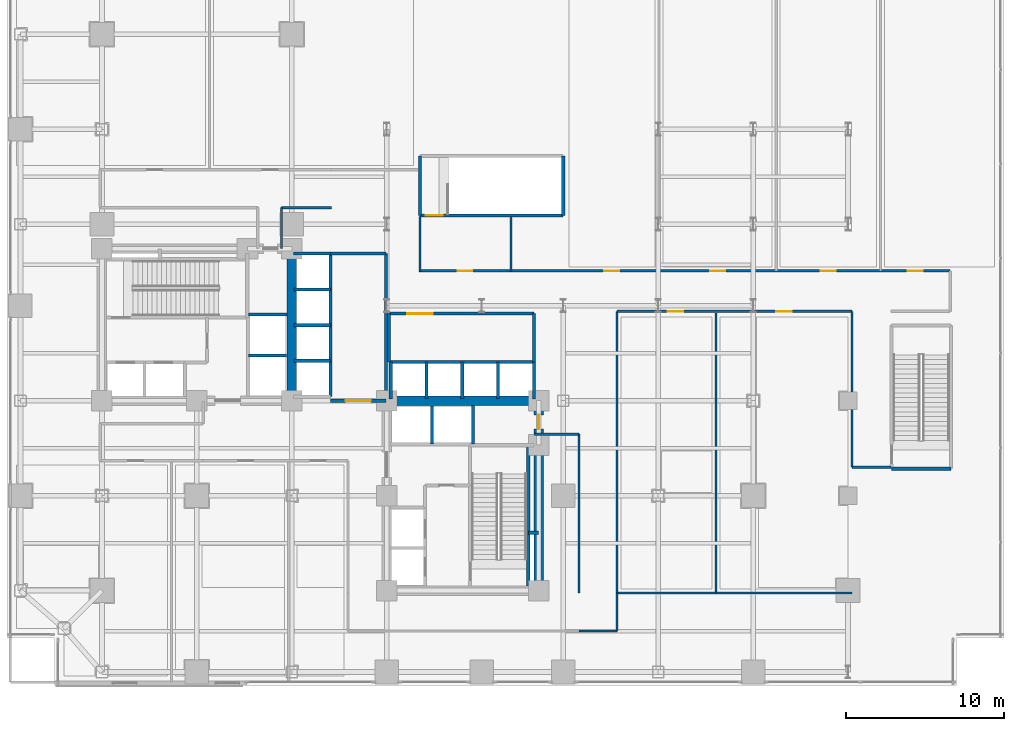
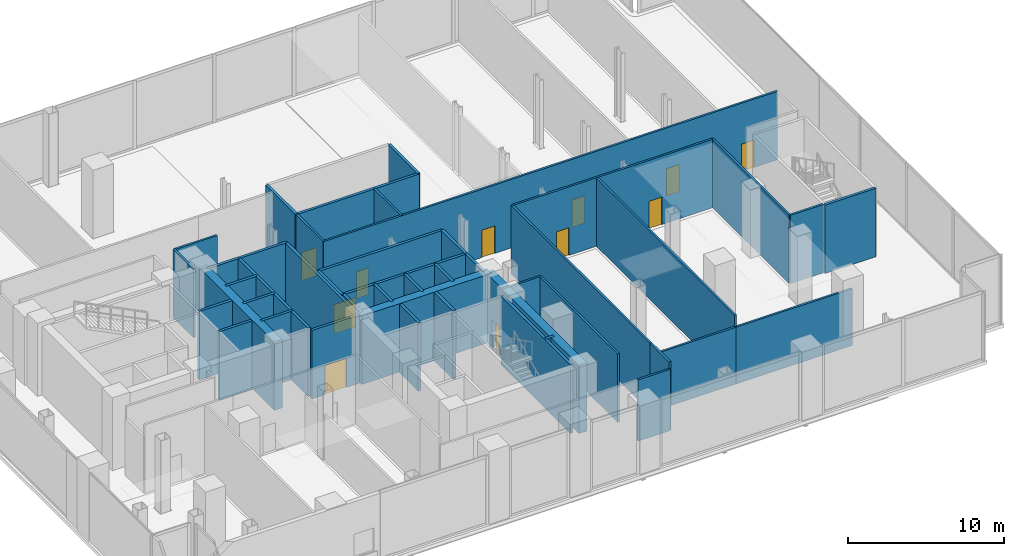
# One storey, part 22 of 27: 46 walls, 11 doors, 11 openings.
"""IFC4 building model written with IfcOpenShell, lengths in metres."""

from ifc_helpers import new_model, si_unit, direction, frame, frame_2d, origin, place, context, subcontext, project, spatial, rectangle, extrude, material, layer, layer_set, type_object, element, fill, save


model = new_model("IFC4")

# Units and contexts
model_context = context("Model", 3, precision=1e-05, world=origin(), true_north=direction((0.0, 1.0)))
body_context = subcontext(model_context, "Body", "Model", "MODEL_VIEW")
ifc_project = project(units=[si_unit("LENGTHUNIT", "METRE"), si_unit("AREAUNIT", "SQUARE_METRE"), si_unit("VOLUMEUNIT", "CUBIC_METRE"), si_unit("PLANEANGLEUNIT", "RADIAN"), si_unit("MASSUNIT", "GRAM", prefix="KILO"), si_unit("THERMODYNAMICTEMPERATUREUNIT", "KELVIN"), si_unit("POWERUNIT", "WATT")], contexts=[model_context])

# Site, building, storey
site_placement = place(None, origin())
site = spatial("IfcSite", under=ifc_project, at=site_placement, CompositionType="ELEMENT")
building_placement = place(site_placement, origin())
building = spatial("IfcBuilding", under=site, at=building_placement, Name="Svarakhadi Broadcast Tower", CompositionType="ELEMENT")
storey_placement = place(building_placement, frame((0.0, 0.0, 21.89990234375)))
storey = spatial("IfcBuildingStorey", under=building, at=storey_placement, Name="L04", CompositionType="ELEMENT", Elevation=21.89990234375)

# Walls
ifc_material_1 = material(Name="Concrete C40/50 (IS 456 M50)", Category="concrete")
ifc_layer_1 = layer(ifc_material_1, 0.199951171875)
ifc_layer_set_1 = layer_set([ifc_layer_1], Name="Concrete C40/50 (IS 456 M50)")
wall_type_1 = type_object("IfcWallType", Name="Wall_Fire_200", PredefinedType="SOLIDWALL", material=ifc_layer_set_1)
wall_1_placement = place(storey_placement, frame((32.93994140625, 9.659912109375, 0.0), z_axis=(0.0, 0.0, 1.0), x_axis=(1.0, 0.0, 0.0)))
element("IfcWall", 1, at=wall_1_placement, inside=storey, type_object=wall_type_1, Name="L04 HV Busduct Riser Shaft North Wall", PredefinedType="SOLIDWALL", context=body_context, shape_type="SweptSolid", body=[
    extrude(rectangle(XDim=0.64013671875, YDim=0.199951171875, at=frame_2d((0.320068359375, 0.0))), origin(), (0.0, 0.0, 1.0), 5.35009765625),
])
ifc_material_2 = material(Name="Autoclaved Aerated Concrete Blockwork 150 mm", Category="masonry")
ifc_layer_2 = layer(ifc_material_2, 0.14990234375)
ifc_layer_set_2 = layer_set([ifc_layer_2], Name="Autoclaved Aerated Concrete Blockwork 150 mm")
wall_type_2 = type_object("IfcWallType", Name="Wall_Part_150", PredefinedType="PARTITIONING", material=ifc_layer_set_2)
wall_2_placement = place(storey_placement, frame((36.14990234375, 5.85009765625, 0.0), z_axis=(0.0, 0.0, 1.0), x_axis=(0.0, 1.0, 0.0)))
element("IfcWall", 2, at=wall_2_placement, inside=storey, type_object=wall_type_2, Name="L04 Podium Gallery Wall", PredefinedType="PARTITIONING", context=body_context, shape_type="SweptSolid", body=[
    extrude(rectangle(XDim=10.02978515625, YDim=0.14990234375, at=frame_2d((5.014892578125, 0.0))), origin(), (0.0, 0.0, 1.0), 5.35009765625),
])
wall_3_placement = place(storey_placement, frame((36.14990234375, 15.8798828125, 0.0), z_axis=(0.0, 0.0, 1.0), x_axis=(-1.0, 0.0, 0.0)))
element("IfcWall", 3, at=wall_3_placement, inside=storey, type_object=wall_type_2, Name="L04 Podium Gallery Wall", PredefinedType="PARTITIONING", context=body_context, shape_type="SweptSolid", body=[
    extrude(rectangle(XDim=2.809814453125, YDim=0.14990234375, at=frame_2d((1.40478515625, 0.0))), origin(), (0.0, 0.0, 1.0), 5.35009765625),
])
wall_4_placement = place(storey_placement, frame((20.5, 30.199951171875, 0.0), z_axis=(0.0, 0.0, 1.0), x_axis=(-1.0, 0.0, 0.0)))
element("IfcWall", 4, at=wall_4_placement, inside=storey, type_object=wall_type_2, Name="L04 Podium Gallery Wall", PredefinedType="PARTITIONING", context=body_context, shape_type="SweptSolid", body=[
    extrude(rectangle(XDim=3.14990234375, YDim=0.14990234375, at=frame_2d((1.574951171875, 0.0))), origin(), (0.0, 0.0, 1.0), 5.35009765625),
])
wall_5_placement = place(storey_placement, frame((17.35009765625, 30.199951171875, 0.0), z_axis=(0.0, 0.0, 1.0), x_axis=(0.0, -1.0, 0.0)))
element("IfcWall", 5, at=wall_5_placement, inside=storey, type_object=wall_type_2, Name="L04 Podium Gallery Wall", PredefinedType="PARTITIONING", context=body_context, shape_type="SweptSolid", body=[
    extrude(rectangle(XDim=2.579833984375, YDim=0.14990234375, at=frame_2d((1.2900390625, 0.0))), origin(), (0.0, 0.0, 1.0), 5.35009765625),
])

# Wall, openings, doors
wall_6_placement = place(storey_placement, frame((26.050048828125, 26.199951171875, 0.0), z_axis=(0.0, 0.0, 1.0), x_axis=(1.0, 0.0, 0.0)))
wall_6 = element("IfcWall", 6, at=wall_6_placement, inside=storey, type_object=wall_type_2, Name="L04 Podium Gallery Wall", PredefinedType="PARTITIONING", context=body_context, shape_type="SweptSolid", body=[
    extrude(rectangle(XDim=33.550048828125, YDim=0.14990234375, at=frame_2d((16.77490234375, 0.0))), origin(), (0.0, 0.0, 1.0), 5.35009765625),
])
opening_1_placement = place(wall_6_placement, frame((2.449951171875, 0.0, 0.0)))
opening_1 = element("IfcOpeningElement", 7, at=opening_1_placement, cuts=wall_6, Name="Opening D-12", PredefinedType="OPENING", context=body_context, shape_type="SweptSolid", body=[
    extrude(rectangle(XDim=0.89990234375, YDim=2.10009765625, at=frame_2d((0.449951171875, 1.050048828125))), frame((0.0, 0.0849609375, 0.0), z_axis=(0.0, -1.0, 0.0), x_axis=(1.0, 0.0, 0.0)), (0.0, 0.0, 1.0), 0.169921875),
])
opening_2_placement = place(wall_6_placement, frame((11.699951171875, 0.0, 0.0)))
opening_2 = element("IfcOpeningElement", 8, at=opening_2_placement, cuts=wall_6, Name="Opening D-07", PredefinedType="OPENING", context=body_context, shape_type="SweptSolid", body=[
    extrude(rectangle(XDim=0.949951171875, YDim=2.14990234375, at=frame_2d((0.47509765625, 1.074951171875))), frame((0.0, 0.0849609375, 0.0), z_axis=(0.0, -1.0, 0.0), x_axis=(1.0, 0.0, 0.0)), (0.0, 0.0, 1.0), 0.169921875),
])
opening_3_placement = place(wall_6_placement, frame((18.375, 0.0, 0.0)))
opening_3 = element("IfcOpeningElement", 9, at=opening_3_placement, cuts=wall_6, Name="Opening D-06", PredefinedType="OPENING", context=body_context, shape_type="SweptSolid", body=[
    extrude(rectangle(XDim=0.949951171875, YDim=2.14990234375, at=frame_2d((0.47509765625, 1.074951171875))), frame((0.0, 0.0849609375, 0.0), z_axis=(0.0, -1.0, 0.0), x_axis=(1.0, 0.0, 0.0)), (0.0, 0.0, 1.0), 0.169921875),
])
opening_4_placement = place(wall_6_placement, frame((25.375, 0.0, 0.0)))
opening_4 = element("IfcOpeningElement", 10, at=opening_4_placement, cuts=wall_6, Name="Opening D-07", PredefinedType="OPENING", context=body_context, shape_type="SweptSolid", body=[
    extrude(rectangle(XDim=0.949951171875, YDim=2.14990234375, at=frame_2d((0.47509765625, 1.074951171875))), frame((0.0, 0.0849609375, 0.0), z_axis=(0.0, -1.0, 0.0), x_axis=(1.0, 0.0, 0.0)), (0.0, 0.0, 1.0), 0.169921875),
])
opening_5_placement = place(wall_6_placement, frame((30.875, 0.0, 0.0)))
opening_5 = element("IfcOpeningElement", 11, at=opening_5_placement, cuts=wall_6, Name="Opening D-06", PredefinedType="OPENING", context=body_context, shape_type="SweptSolid", body=[
    extrude(rectangle(XDim=0.949951171875, YDim=2.14990234375, at=frame_2d((0.47509765625, 1.074951171875))), frame((0.0, 0.0849609375, 0.0), z_axis=(0.0, -1.0, 0.0), x_axis=(1.0, 0.0, 0.0)), (0.0, 0.0, 1.0), 0.169921875),
])
ifc_material_3 = material(Name="Solid-Core Teak Veneer Acoustic Timber Leaf", Category="wood")
door_type_1 = type_object("IfcDoorType", Name="Door_Office_D06", OperationType="SINGLE_SWING_LEFT", PredefinedType="DOOR", material=ifc_material_3)
door_1_placement = place(opening_3_placement, origin())
door_1 = element("IfcDoor", 12, at=door_1_placement, inside=storey, type_object=door_type_1, Name="L04 L04 Editorial Conference Room Door", OperationType="SINGLE_SWING_LEFT", OverallHeight=2.14990234375, OverallWidth=0.949951171875, PredefinedType="DOOR", context=body_context, shape_type="SweptSolid", body=[
    extrude(rectangle(XDim=0.949951171875, YDim=2.14990234375, at=frame_2d((0.47509765625, 1.074951171875))), frame((0.0, 0.02490234375, 0.0), z_axis=(0.0, -1.0, 0.0), x_axis=(1.0, 0.0, 0.0)), (0.0, 0.0, 1.0), 0.050048828125),
])
fill(opening_3, door_1)
door_2_placement = place(opening_5_placement, origin())
door_2 = element("IfcDoor", 13, at=door_2_placement, inside=storey, type_object=door_type_1, Name="L04 L04 Broadcast Copy and Archive Store Door", OperationType="SINGLE_SWING_LEFT", OverallHeight=2.14990234375, OverallWidth=0.949951171875, PredefinedType="DOOR", context=body_context, shape_type="SweptSolid", body=[
    extrude(rectangle(XDim=0.949951171875, YDim=2.14990234375, at=frame_2d((0.47509765625, 1.074951171875))), frame((0.0, 0.02490234375, 0.0), z_axis=(0.0, -1.0, 0.0), x_axis=(1.0, 0.0, 0.0)), (0.0, 0.0, 1.0), 0.050048828125),
])
fill(opening_5, door_2)
door_type_2 = type_object("IfcDoorType", Name="Door_Office_D07", OperationType="SINGLE_SWING_RIGHT", PredefinedType="DOOR", material=ifc_material_3)
door_3_placement = place(opening_2_placement, origin())
door_3 = element("IfcDoor", 14, at=door_3_placement, inside=storey, type_object=door_type_2, Name="L04 L04 Satellite Ingest and Playout Office Door", OperationType="SINGLE_SWING_RIGHT", OverallHeight=2.14990234375, OverallWidth=0.949951171875, PredefinedType="DOOR", context=body_context, shape_type="SweptSolid", body=[
    extrude(rectangle(XDim=0.949951171875, YDim=2.14990234375, at=frame_2d((0.47509765625, 1.074951171875))), frame((0.0, 0.02490234375, 0.0), z_axis=(0.0, -1.0, 0.0), x_axis=(1.0, 0.0, 0.0)), (0.0, 0.0, 1.0), 0.050048828125),
])
fill(opening_2, door_3)
door_4_placement = place(opening_4_placement, origin())
door_4 = element("IfcDoor", 15, at=door_4_placement, inside=storey, type_object=door_type_2, Name="L04 L04 Staff Dining Canteen Door", OperationType="SINGLE_SWING_RIGHT", OverallHeight=2.14990234375, OverallWidth=0.949951171875, PredefinedType="DOOR", context=body_context, shape_type="SweptSolid", body=[
    extrude(rectangle(XDim=0.949951171875, YDim=2.14990234375, at=frame_2d((0.47509765625, 1.074951171875))), frame((0.0, 0.02490234375, 0.0), z_axis=(0.0, -1.0, 0.0), x_axis=(1.0, 0.0, 0.0)), (0.0, 0.0, 1.0), 0.050048828125),
])
fill(opening_4, door_4)
door_type_3 = type_object("IfcDoorType", Name="Door_WC_D01", OperationType="SINGLE_SWING_LEFT", PredefinedType="DOOR", material=ifc_material_3)
door_5_placement = place(opening_1_placement, origin())
door_5 = element("IfcDoor", 16, at=door_5_placement, inside=storey, type_object=door_type_3, Name="L04 Staff Toilet WC Door", OperationType="SINGLE_SWING_LEFT", OverallHeight=2.10009765625, OverallWidth=0.89990234375, PredefinedType="DOOR", context=body_context, shape_type="SweptSolid", body=[
    extrude(rectangle(XDim=0.89990234375, YDim=2.10009765625, at=frame_2d((0.449951171875, 1.050048828125))), frame((0.0, 0.02490234375, 0.0), z_axis=(0.0, -1.0, 0.0), x_axis=(1.0, 0.0, 0.0)), (0.0, 0.0, 1.0), 0.050048828125),
])
fill(opening_1, door_5)

# Walls
wall_7_placement = place(storey_placement, frame((55.85009765625, 13.800048828125, 0.0), z_axis=(0.0, 0.0, 1.0), x_axis=(-1.0, 0.0, 0.0)))
element("IfcWall", 17, at=wall_7_placement, inside=storey, type_object=wall_type_2, Name="L04 Podium Gallery Wall", PredefinedType="PARTITIONING", context=body_context, shape_type="SweptSolid", body=[
    extrude(rectangle(XDim=2.4501953125, YDim=0.14990234375, at=frame_2d((1.22509765625, 0.0))), origin(), (0.0, 0.0, 1.0), 5.35009765625),
])
wall_8_placement = place(storey_placement, frame((53.39990234375, 13.800048828125, 0.0), z_axis=(0.0, 0.0, 1.0), x_axis=(0.0, 1.0, 0.0)))
element("IfcWall", 18, at=wall_8_placement, inside=storey, type_object=wall_type_2, Name="L04 Podium Gallery Wall", PredefinedType="PARTITIONING", context=body_context, shape_type="SweptSolid", body=[
    extrude(rectangle(XDim=9.83984375, YDim=0.14990234375, at=frame_2d((4.919921875, 0.0))), origin(), (0.0, 0.0, 1.0), 5.35009765625),
])

# Wall, openings, doors
wall_9_placement = place(storey_placement, frame((53.39990234375, 23.639892578125, 0.0), z_axis=(0.0, 0.0, 1.0), x_axis=(-1.0, 0.0, 0.0)))
wall_9 = element("IfcWall", 19, at=wall_9_placement, inside=storey, type_object=wall_type_2, Name="L04 Podium Gallery Wall", PredefinedType="PARTITIONING", context=body_context, shape_type="SweptSolid", body=[
    extrude(rectangle(XDim=14.849853515625, YDim=0.14990234375, at=frame_2d((7.4248046875, 0.0))), origin(), (0.0, 0.0, 1.0), 5.35009765625),
])
opening_6_placement = place(wall_9_placement, frame((10.679931640625, 0.0, 0.0)))
opening_6 = element("IfcOpeningElement", 20, at=opening_6_placement, cuts=wall_9, Name="Opening D-06", PredefinedType="OPENING", context=body_context, shape_type="SweptSolid", body=[
    extrude(rectangle(XDim=0.949951171875, YDim=2.14990234375, at=frame_2d((0.47509765625, 1.074951171875))), frame((0.0, 0.0849609375, 0.0), z_axis=(0.0, -1.0, 0.0), x_axis=(1.0, 0.0, 0.0)), (0.0, 0.0, 1.0), 0.169921875),
])
opening_7_placement = place(wall_9_placement, frame((3.824951171875, 0.0, 0.0)))
opening_7 = element("IfcOpeningElement", 21, at=opening_7_placement, cuts=wall_9, Name="Opening D-06", PredefinedType="OPENING", context=body_context, shape_type="SweptSolid", body=[
    extrude(rectangle(XDim=0.949951171875, YDim=2.14990234375, at=frame_2d((0.47509765625, 1.074951171875))), frame((0.0, 0.0849609375, 0.0), z_axis=(0.0, -1.0, 0.0), x_axis=(1.0, 0.0, 0.0)), (0.0, 0.0, 1.0), 0.169921875),
])
door_6_placement = place(opening_6_placement, origin())
door_6 = element("IfcDoor", 22, at=door_6_placement, inside=storey, type_object=door_type_1, Name="L04 L04 Broadcast Newsroom Floor Door", OperationType="SINGLE_SWING_LEFT", OverallHeight=2.14990234375, OverallWidth=0.949951171875, PredefinedType="DOOR", context=body_context, shape_type="SweptSolid", body=[
    extrude(rectangle(XDim=0.949951171875, YDim=2.14990234375, at=frame_2d((0.47509765625, 1.074951171875))), frame((0.0, 0.02490234375, 0.0), z_axis=(0.0, -1.0, 0.0), x_axis=(1.0, 0.0, 0.0)), (0.0, 0.0, 1.0), 0.050048828125),
])
fill(opening_6, door_6)
door_7_placement = place(opening_7_placement, origin())
door_7 = element("IfcDoor", 23, at=door_7_placement, inside=storey, type_object=door_type_1, Name="L04 L04 Production Control Gallery Door", OperationType="SINGLE_SWING_LEFT", OverallHeight=2.14990234375, OverallWidth=0.949951171875, PredefinedType="DOOR", context=body_context, shape_type="SweptSolid", body=[
    extrude(rectangle(XDim=0.949951171875, YDim=2.14990234375, at=frame_2d((0.47509765625, 1.074951171875))), frame((0.0, 0.02490234375, 0.0), z_axis=(0.0, -1.0, 0.0), x_axis=(1.0, 0.0, 0.0)), (0.0, 0.0, 1.0), 0.050048828125),
])
fill(opening_7, door_7)

# Walls
wall_10_placement = place(storey_placement, frame((38.550048828125, 23.639892578125, 0.0), z_axis=(0.0, 0.0, 1.0), x_axis=(0.0, -1.0, 0.0)))
element("IfcWall", 24, at=wall_10_placement, inside=storey, type_object=wall_type_2, Name="L04 Podium Gallery Wall", PredefinedType="PARTITIONING", context=body_context, shape_type="SweptSolid", body=[
    extrude(rectangle(XDim=17.789794921875, YDim=0.14990234375, at=frame_2d((8.89501953125, 0.0))), origin(), (0.0, 0.0, 1.0), 5.35009765625),
])
wall_11_placement = place(storey_placement, frame((38.550048828125, 5.85009765625, 0.0), z_axis=(0.0, 0.0, 1.0), x_axis=(0.0, -1.0, 0.0)))
element("IfcWall", 25, at=wall_11_placement, inside=storey, type_object=wall_type_2, Name="L04 Podium Gallery Wall", PredefinedType="PARTITIONING", context=body_context, shape_type="SweptSolid", body=[
    extrude(rectangle(XDim=2.400146484375, YDim=0.14990234375, at=frame_2d((1.2001953125, 0.0))), origin(), (0.0, 0.0, 1.0), 5.35009765625),
])
wall_12_placement = place(storey_placement, frame((38.550048828125, 3.449951171875, 0.0), z_axis=(0.0, 0.0, 1.0), x_axis=(-1.0, 0.0, 0.0)))
element("IfcWall", 26, at=wall_12_placement, inside=storey, type_object=wall_type_2, Name="L04 Podium Gallery Wall", PredefinedType="PARTITIONING", context=body_context, shape_type="SweptSolid", body=[
    extrude(rectangle(XDim=2.400146484375, YDim=0.14990234375, at=frame_2d((1.2001953125, 0.0))), origin(), (0.0, 0.0, 1.0), 4.7919921875),
])
for number, where, z_axis, x_axis, name in (
    (27, (26.10009765625, 26.199951171875, 0.0), (0.0, 0.0, 1.0), (0.0, 1.0, 0.0), "L04 Staff Toilet WC Wall"),
    (28, (31.85009765625, 26.199951171875, 0.0), (0.0, 0.0, 1.0), (0.0, 1.0, 0.0), "L04 Staff Toilet WC Wall"),
):
    element("IfcWall", number, at=place(storey_placement, frame(where, z_axis=z_axis, x_axis=x_axis)), inside=storey, type_object=wall_type_2, Name=name, PredefinedType="PARTITIONING", context=body_context, shape_type="SweptSolid", body=[
        extrude(rectangle(XDim=3.449951171875, YDim=0.14990234375, at=frame_2d((1.72509765625, 0.0))), origin(), (0.0, 0.0, 1.0), 5.35009765625),
    ])
wall_13_placement = place(storey_placement, frame((38.550048828125, 5.85009765625, 0.0), z_axis=(0.0, 0.0, 1.0), x_axis=(1.0, 0.0, 0.0)))
element("IfcWall", 29, at=wall_13_placement, inside=storey, type_object=wall_type_2, Name="L04 L04 Broadcast Newsroom Floor Wall", PredefinedType="PARTITIONING", context=body_context, shape_type="SweptSolid", body=[
    extrude(rectangle(XDim=6.25, YDim=0.14990234375, at=frame_2d((3.125, 0.0))), origin(), (0.0, 0.0, 1.0), 4.442138671875),
])
wall_14_placement = place(storey_placement, frame((44.800048828125, 5.85009765625, 0.0), z_axis=(0.0, 0.0, 1.0), x_axis=(0.0, 1.0, 0.0)))
element("IfcWall", 30, at=wall_14_placement, inside=storey, type_object=wall_type_2, Name="L04 L04 Broadcast Newsroom Floor Wall", PredefinedType="PARTITIONING", context=body_context, shape_type="SweptSolid", body=[
    extrude(rectangle(XDim=17.699951171875, YDim=0.14990234375, at=frame_2d((8.85009765625, 0.0))), origin(), (0.0, 0.0, 1.0), 5.35009765625),
])
wall_15_placement = place(storey_placement, frame((44.800048828125, 5.85009765625, 0.0), z_axis=(0.0, 0.0, 1.0), x_axis=(1.0, 0.0, 0.0)))
element("IfcWall", 31, at=wall_15_placement, inside=storey, type_object=wall_type_2, Name="L04 L04 Production Control Gallery Wall", PredefinedType="PARTITIONING", context=body_context, shape_type="SweptSolid", body=[
    extrude(rectangle(XDim=8.599853515625, YDim=0.14990234375, at=frame_2d((4.2998046875, 0.0))), origin(), (0.0, 0.0, 1.0), 4.442138671875),
])
ifc_material_4 = material(Name="Concrete C50/60 (IS 456 M60)", Category="concrete")
ifc_layer_3 = layer(ifc_material_4, 0.199951171875)
ifc_layer_set_3 = layer_set([ifc_layer_3], Name="Concrete C50/60 (IS 456 M60)")
wall_type_3 = type_object("IfcWallType", Name="Wall_Shear_200", PredefinedType="SHEAR", material=ifc_layer_set_3)
wall_16_placement = place(storey_placement, frame((32.93994140625, 6.300048828125, 0.0), z_axis=(0.0, 0.0, 1.0), x_axis=(0.0, 1.0, 0.0)))
element("IfcWall", 32, at=wall_16_placement, inside=storey, type_object=wall_type_3, Name="L04 Stair ST-02 East RC Shaft Wall", PredefinedType="SHEAR", context=body_context, shape_type="SweptSolid", body=[
    extrude(rectangle(XDim=8.8798828125, YDim=0.199951171875, at=frame_2d((4.43994140625, 0.0))), origin(), (0.0, 0.0, 1.0), 5.35009765625),
])
wall_17_placement = place(storey_placement, frame((15.25, 20.85009765625, 0.0), z_axis=(0.0, 0.0, 1.0), x_axis=(1.0, 0.0, 0.0)))
element("IfcWall", 33, at=wall_17_placement, inside=storey, type_object=wall_type_3, Name="L04 High-Rise Lift LF-13/14 Divider", PredefinedType="SHEAR", context=body_context, shape_type="SweptSolid", body=[
    extrude(rectangle(XDim=2.39990234375, YDim=0.199951171875, at=frame_2d((1.199951171875, 0.0))), origin(), (0.0, 0.0, 1.0), 5.35009765625),
])
wall_18_placement = place(storey_placement, frame((15.25, 23.449951171875, 0.0), z_axis=(0.0, 0.0, 1.0), x_axis=(1.0, 0.0, 0.0)))
element("IfcWall", 34, at=wall_18_placement, inside=storey, type_object=wall_type_3, Name="L04 High-Rise Lift LF-13/14 North Wall", PredefinedType="SHEAR", context=body_context, shape_type="SweptSolid", body=[
    extrude(rectangle(XDim=2.449951171875, YDim=0.199951171875, at=frame_2d((1.22509765625, 0.0))), origin(), (0.0, 0.0, 1.0), 5.35009765625),
])
wall_19_placement = place(storey_placement, frame((26.85009765625, 15.25, 0.0), z_axis=(0.0, 0.0, 1.0), x_axis=(0.0, 1.0, 0.0)))
element("IfcWall", 35, at=wall_19_placement, inside=storey, type_object=wall_type_3, Name="L04 High-Rise Lift LF-15/16 Divider", PredefinedType="SHEAR", context=body_context, shape_type="SweptSolid", body=[
    extrude(rectangle(XDim=2.39990234375, YDim=0.199951171875, at=frame_2d((1.199951171875, 0.0))), origin(), (0.0, 0.0, 1.0), 5.35009765625),
])
wall_20_placement = place(storey_placement, frame((29.449951171875, 15.25, 0.0), z_axis=(0.0, 0.0, 1.0), x_axis=(0.0, 1.0, 0.0)))
element("IfcWall", 36, at=wall_20_placement, inside=storey, type_object=wall_type_3, Name="L04 High-Rise Lift LF-15/16 East Wall", PredefinedType="SHEAR", context=body_context, shape_type="SweptSolid", body=[
    extrude(rectangle(XDim=2.449951171875, YDim=0.199951171875, at=frame_2d((1.22509765625, 0.0))), origin(), (0.0, 0.0, 1.0), 5.35009765625),
])
wall_21_placement = place(storey_placement, frame((18.10009765625, 27.300048828125, 0.0), z_axis=(0.0, 0.0, 1.0), x_axis=(1.0, 0.0, 0.0)))
element("IfcWall", 37, at=wall_21_placement, inside=storey, type_object=wall_type_3, Name="L04 Bank A North Shaft Wall", PredefinedType="SHEAR", context=body_context, shape_type="SweptSolid", body=[
    extrude(rectangle(XDim=2.349853515625, YDim=0.199951171875, at=frame_2d((1.1748046875, 0.0))), origin(), (0.0, 0.0, 1.0), 5.35009765625),
])
wall_22_placement = place(storey_placement, frame((20.449951171875, 18.25, 0.0), z_axis=(0.0, 0.0, 1.0), x_axis=(0.0, 1.0, 0.0)))
element("IfcWall", 38, at=wall_22_placement, inside=storey, type_object=wall_type_3, Name="L04 Bank A East Landing Wall", PredefinedType="SHEAR", context=body_context, shape_type="SweptSolid", body=[
    extrude(rectangle(XDim=9.050048828125, YDim=0.199951171875, at=frame_2d((4.52490234375, 0.0))), origin(), (0.0, 0.0, 1.0), 5.35009765625),
])
for number, where, z_axis, x_axis, name in (
    (39, (18.14990234375, 20.52001953125, 0.0), (0.0, 0.0, 1.0), (1.0, 0.0, 0.0), "L04 Bank A Divider"),
    (40, (18.14990234375, 22.77001953125, 0.0), (0.0, 0.0, 1.0), (1.0, 0.0, 0.0), "L04 Bank A Divider"),
    (41, (18.14990234375, 25.02001953125, 0.0), (0.0, 0.0, 1.0), (1.0, 0.0, 0.0), "L04 Bank A Divider"),
):
    element("IfcWall", number, at=place(storey_placement, frame(where, z_axis=z_axis, x_axis=x_axis)), inside=storey, type_object=wall_type_3, Name=name, PredefinedType="SHEAR", context=body_context, shape_type="SweptSolid", body=[
        extrude(rectangle(XDim=2.300048828125, YDim=0.199951171875, at=frame_2d((1.14990234375, 0.0))), origin(), (0.0, 0.0, 1.0), 5.35009765625),
    ])

# Wall, opening, door
wall_23_placement = place(storey_placement, frame((20.449951171875, 18.0, 0.0), z_axis=(0.0, 0.0, 1.0), x_axis=(1.0, 0.0, 0.0)))
wall_23 = element("IfcWall", 42, at=wall_23_placement, inside=storey, type_object=wall_type_3, Name="L04 Bank A Lift Hall South Wall", PredefinedType="SHEAR", context=body_context, shape_type="SweptSolid", body=[
    extrude(rectangle(XDim=3.5, YDim=0.199951171875, at=frame_2d((1.75, 0.0))), origin(), (0.0, 0.0, 1.0), 5.35009765625),
])
opening_8_placement = place(wall_23_placement, frame((0.949951171875, 0.0, 0.0)))
opening_8 = element("IfcOpeningElement", 43, at=opening_8_placement, cuts=wall_23, Name="Opening D-05", PredefinedType="OPENING", context=body_context, shape_type="SweptSolid", body=[
    extrude(rectangle(XDim=1.60009765625, YDim=2.300048828125, at=frame_2d((0.800048828125, 1.14990234375))), frame((0.0, 0.10986328125, 0.0), z_axis=(0.0, -1.0, 0.0), x_axis=(1.0, 0.0, 0.0)), (0.0, 0.0, 1.0), 0.219970703125),
])
ifc_material_5 = material(Name="Anodised Bronze Aluminium AA 6063-T6", Category="aluminium")
door_type_4 = type_object("IfcDoorType", Name="Door_Lobby_D05", OperationType="DOUBLE_DOOR_SLIDING", PredefinedType="DOOR", material=ifc_material_5)
door_8_placement = place(opening_8_placement, origin())
door_8 = element("IfcDoor", 44, at=door_8_placement, inside=storey, type_object=door_type_4, Name="L04 Low-Rise Lift Hall Corridor Door", OperationType="DOUBLE_DOOR_SLIDING", OverallHeight=2.300048828125, OverallWidth=1.60009765625, PredefinedType="DOOR", context=body_context, shape_type="SweptSolid", body=[
    extrude(rectangle(XDim=1.60009765625, YDim=2.300048828125, at=frame_2d((0.800048828125, 1.14990234375))), frame((0.0, 0.02490234375, 0.0), z_axis=(0.0, -1.0, 0.0), x_axis=(1.0, 0.0, 0.0)), (0.0, 0.0, 1.0), 0.050048828125),
])
fill(opening_8, door_8)

# Walls
wall_24_placement = place(storey_placement, frame((20.449951171875, 27.300048828125, 0.0), z_axis=(0.0, 0.0, 1.0), x_axis=(1.0, 0.0, 0.0)))
element("IfcWall", 45, at=wall_24_placement, inside=storey, type_object=wall_type_3, Name="L04 Bank A Lift Hall North Wall", PredefinedType="SHEAR", context=body_context, shape_type="SweptSolid", body=[
    extrude(rectangle(XDim=3.5, YDim=0.199951171875, at=frame_2d((1.75, 0.0))), origin(), (0.0, 0.0, 1.0), 5.35009765625),
])
wall_25_placement = place(storey_placement, frame((23.949951171875, 18.0, 0.0), z_axis=(0.0, 0.0, 1.0), x_axis=(0.0, 1.0, 0.0)))
element("IfcWall", 46, at=wall_25_placement, inside=storey, type_object=wall_type_3, Name="L04 Bank A Lift Hall East Wall", PredefinedType="SHEAR", context=body_context, shape_type="SweptSolid", body=[
    extrude(rectangle(XDim=9.300048828125, YDim=0.199951171875, at=frame_2d((4.64990234375, 0.0))), origin(), (0.0, 0.0, 1.0), 5.35009765625),
])
for number, where, z_axis, x_axis, name in (
    (47, (33.300048828125, 18.10009765625, 0.0), (0.0, 0.0, 1.0), (0.0, 1.0, 0.0), "L04 Bank B East Shaft Wall"),
    (48, (24.25, 18.10009765625, 0.0), (0.0, 0.0, 1.0), (0.0, 1.0, 0.0), "L04 Bank B West Shaft Wall"),
):
    element("IfcWall", number, at=place(storey_placement, frame(where, z_axis=z_axis, x_axis=x_axis)), inside=storey, type_object=wall_type_3, Name=name, PredefinedType="SHEAR", context=body_context, shape_type="SweptSolid", body=[
        extrude(rectangle(XDim=2.349853515625, YDim=0.199951171875, at=frame_2d((1.1748046875, 0.0))), origin(), (0.0, 0.0, 1.0), 5.35009765625),
    ])
wall_26_placement = place(storey_placement, frame((24.25, 20.449951171875, 0.0), z_axis=(0.0, 0.0, 1.0), x_axis=(1.0, 0.0, 0.0)))
element("IfcWall", 49, at=wall_26_placement, inside=storey, type_object=wall_type_3, Name="L04 Bank B North Landing Wall", PredefinedType="SHEAR", context=body_context, shape_type="SweptSolid", body=[
    extrude(rectangle(XDim=9.050048828125, YDim=0.199951171875, at=frame_2d((4.52490234375, 0.0))), origin(), (0.0, 0.0, 1.0), 5.35009765625),
])
for number, where, z_axis, x_axis, name in (
    (50, (26.52001953125, 18.14990234375, 0.0), (0.0, 0.0, 1.0), (0.0, 1.0, 0.0), "L04 Bank B Divider"),
    (51, (28.77001953125, 18.14990234375, 0.0), (0.0, 0.0, 1.0), (0.0, 1.0, 0.0), "L04 Bank B Divider"),
    (52, (31.02001953125, 18.14990234375, 0.0), (0.0, 0.0, 1.0), (0.0, 1.0, 0.0), "L04 Bank B Divider"),
):
    element("IfcWall", number, at=place(storey_placement, frame(where, z_axis=z_axis, x_axis=x_axis)), inside=storey, type_object=wall_type_3, Name=name, PredefinedType="SHEAR", context=body_context, shape_type="SweptSolid", body=[
        extrude(rectangle(XDim=2.300048828125, YDim=0.199951171875, at=frame_2d((1.14990234375, 0.0))), origin(), (0.0, 0.0, 1.0), 5.35009765625),
    ])

# Wall, opening, door
wall_27_placement = place(storey_placement, frame((24.14990234375, 23.5, 0.0), z_axis=(0.0, 0.0, 1.0), x_axis=(1.0, 0.0, 0.0)))
wall_27 = element("IfcWall", 53, at=wall_27_placement, inside=storey, type_object=wall_type_3, Name="L04 Bank B Lift Hall North Wall", PredefinedType="SHEAR", context=body_context, shape_type="SweptSolid", body=[
    extrude(rectangle(XDim=9.150146484375, YDim=0.199951171875, at=frame_2d((4.5751953125, 0.0))), origin(), (0.0, 0.0, 1.0), 5.35009765625),
])
opening_9_placement = place(wall_27_placement, frame((1.14990234375, 0.0, 0.0)))
opening_9 = element("IfcOpeningElement", 54, at=opening_9_placement, cuts=wall_27, Name="Opening D-05", PredefinedType="OPENING", context=body_context, shape_type="SweptSolid", body=[
    extrude(rectangle(XDim=1.60009765625, YDim=2.300048828125, at=frame_2d((0.800048828125, 1.14990234375))), frame((0.0, 0.10986328125, 0.0), z_axis=(0.0, -1.0, 0.0), x_axis=(1.0, 0.0, 0.0)), (0.0, 0.0, 1.0), 0.219970703125),
])
door_9_placement = place(opening_9_placement, origin())
door_9 = element("IfcDoor", 55, at=door_9_placement, inside=storey, type_object=door_type_4, Name="L04 Mid-Rise Lift Hall North Corridor Door", OperationType="DOUBLE_DOOR_SLIDING", OverallHeight=2.300048828125, OverallWidth=1.60009765625, PredefinedType="DOOR", context=body_context, shape_type="SweptSolid", body=[
    extrude(rectangle(XDim=1.60009765625, YDim=2.300048828125, at=frame_2d((0.800048828125, 1.14990234375))), frame((0.0, 0.02490234375, 0.0), z_axis=(0.0, -1.0, 0.0), x_axis=(1.0, 0.0, 0.0)), (0.0, 0.0, 1.0), 0.050048828125),
])
fill(opening_9, door_9)

# Walls
for number, where, z_axis, x_axis, name in (
    (56, (33.300048828125, 20.449951171875, 0.0), (0.0, 0.0, 1.0), (0.0, 1.0, 0.0), "L04 Bank B Lift Hall East Wall"),
    (57, (24.14990234375, 20.449951171875, 0.0), (0.0, 0.0, 1.0), (0.0, 1.0, 0.0), "L04 Bank B Lift Hall West Wall"),
):
    element("IfcWall", number, at=place(storey_placement, frame(where, z_axis=z_axis, x_axis=x_axis)), inside=storey, type_object=wall_type_3, Name=name, PredefinedType="SHEAR", context=body_context, shape_type="SweptSolid", body=[
        extrude(rectangle(XDim=3.050048828125, YDim=0.199951171875, at=frame_2d((1.52490234375, 0.0))), origin(), (0.0, 0.0, 1.0), 5.35009765625),
    ])

# Wall, opening, door
wall_28_placement = place(storey_placement, frame((26.10009765625, 29.699951171875, 0.0), z_axis=(0.0, 0.0, 1.0), x_axis=(1.0, 0.0, 0.0)))
wall_28 = element("IfcWall", 58, at=wall_28_placement, inside=storey, type_object=wall_type_3, Name="L04 Stair ST-03 South RC Shaft Wall", PredefinedType="SHEAR", context=body_context, shape_type="SweptSolid", body=[
    extrude(rectangle(XDim=9.0498046875, YDim=0.199951171875, at=frame_2d((4.52490234375, 0.0))), origin(), (0.0, 0.0, 1.0), 5.35009765625),
])
opening_10_placement = place(wall_28_placement, frame((0.35009765625, 0.0, 0.0)))
opening_10 = element("IfcOpeningElement", 59, at=opening_10_placement, cuts=wall_28, Name="Opening D-01", PredefinedType="OPENING", context=body_context, shape_type="SweptSolid", body=[
    extrude(rectangle(XDim=1.10009765625, YDim=2.199951171875, at=frame_2d((0.550048828125, 1.10009765625))), frame((0.0, 0.10986328125, 0.0), z_axis=(0.0, -1.0, 0.0), x_axis=(1.0, 0.0, 0.0)), (0.0, 0.0, 1.0), 0.219970703125),
])
ifc_material_6 = material(Name="Galvanised Powder-Coated Fire-Rated Steel Leaf", Category="steel")
door_type_5 = type_object("IfcDoorType", Name="Door_Stair_D01", OperationType="SINGLE_SWING_LEFT", PredefinedType="DOOR", material=ifc_material_6)
door_10_placement = place(opening_10_placement, origin())
door_10 = element("IfcDoor", 60, at=door_10_placement, inside=storey, type_object=door_type_5, Name="L04 Podium Stair ST-03 Fire Door", OperationType="SINGLE_SWING_LEFT", OverallHeight=2.199951171875, OverallWidth=1.10009765625, PredefinedType="DOOR", context=body_context, shape_type="SweptSolid", body=[
    extrude(rectangle(XDim=1.10009765625, YDim=2.199951171875, at=frame_2d((0.550048828125, 1.10009765625))), frame((0.0, 0.02490234375, 0.0), z_axis=(0.0, -1.0, 0.0), x_axis=(1.0, 0.0, 0.0)), (0.0, 0.0, 1.0), 0.050048828125),
])
fill(opening_10, door_10)

# Walls
for number, where, z_axis, x_axis, name in (
    (61, (26.10009765625, 29.699951171875, 0.0), (0.0, 0.0, 1.0), (0.0, 1.0, 0.0), "L04 Stair ST-03 West RC Shaft Wall"),
    (62, (35.14990234375, 29.699951171875, 0.0), (0.0, 0.0, 1.0), (0.0, 1.0, 0.0), "L04 Stair ST-03 East RC Shaft Wall"),
    (63, (55.89990234375, 13.699951171875, 0.0), (0.0, 0.0, 1.0), (1.0, 0.0, 0.0), "L04 Stair ST-04 South RC Shaft Wall"),
):
    element("IfcWall", number, at=place(storey_placement, frame(where, z_axis=z_axis, x_axis=x_axis)), inside=storey, type_object=wall_type_3, Name=name, PredefinedType="SHEAR", context=body_context, shape_type="SweptSolid", body=[
        extrude(rectangle(XDim=3.760009765625, YDim=0.199951171875, at=frame_2d((1.8798828125, 0.0))), origin(), (0.0, 0.0, 1.0), 5.35009765625),
    ])
ifc_material_7 = material(Name="Concrete C60/75 (IS 456 M70)", Category="concrete")
ifc_layer_4 = layer(ifc_material_7, 0.60009765625)
ifc_layer_set_4 = layer_set([ifc_layer_4], Name="Concrete C60/75 (IS 456 M70)")
wall_type_4 = type_object("IfcWallType", Name="Wall_Shear_600", PredefinedType="SHEAR", material=ifc_layer_set_4)
for number, where, z_axis, x_axis, name in (
    (64, (18.0, 18.0, 0.0), (0.0, 0.0, 1.0), (0.0, 1.0, 0.0), "L04 West Core East Shear Wall"),
    (65, (24.0, 18.0, 0.0), (0.0, 0.0, 1.0), (1.0, 0.0, 0.0), "L04 East Core North Shear Wall"),
):
    element("IfcWall", number, at=place(storey_placement, frame(where, z_axis=z_axis, x_axis=x_axis)), inside=storey, type_object=wall_type_4, Name=name, PredefinedType="SHEAR", context=body_context, shape_type="SweptSolid", body=[
        extrude(rectangle(XDim=9.60009765625, YDim=0.60009765625, at=frame_2d((4.800048828125, 0.0))), origin(), (0.0, 0.0, 1.0), 5.35009765625),
    ])

# Wall, opening, door
wall_29_placement = place(storey_placement, frame((33.60009765625, 6.0, 0.0), z_axis=(0.0, 0.0, 1.0), x_axis=(0.0, 1.0, 0.0)))
wall_29 = element("IfcWall", 66, at=wall_29_placement, inside=storey, type_object=wall_type_4, Name="L04 East Core East Shear Wall", PredefinedType="SHEAR", context=body_context, shape_type="SweptSolid", body=[
    extrude(rectangle(XDim=12.0, YDim=0.60009765625, at=frame_2d((6.0, 0.0))), origin(), (0.0, 0.0, 1.0), 5.35009765625),
])
opening_11_placement = place(wall_29_placement, frame((10.199951171875, 0.0, 0.0)))
opening_11 = element("IfcOpeningElement", 67, at=opening_11_placement, cuts=wall_29, Name="Opening D-03", PredefinedType="OPENING", context=body_context, shape_type="SweptSolid", body=[
    extrude(rectangle(XDim=0.89990234375, YDim=2.14990234375, at=frame_2d((0.449951171875, 1.074951171875))), frame((0.0, 0.31005859375, 0.0), z_axis=(0.0, -1.0, 0.0), x_axis=(1.0, 0.0, 0.0)), (0.0, 0.0, 1.0), 0.6201171875),
])
door_type_6 = type_object("IfcDoorType", Name="Door_Fire_D03", OperationType="SINGLE_SWING_LEFT", PredefinedType="DOOR", material=ifc_material_6)
door_11_placement = place(opening_11_placement, origin())
door_11 = element("IfcDoor", 68, at=door_11_placement, inside=storey, type_object=door_type_6, Name="L04 Core Service Room East Door", OperationType="SINGLE_SWING_LEFT", OverallHeight=2.14990234375, OverallWidth=0.89990234375, PredefinedType="DOOR", context=body_context, shape_type="SweptSolid", body=[
    extrude(rectangle(XDim=0.89990234375, YDim=2.14990234375, at=frame_2d((0.449951171875, 1.074951171875))), frame((0.0, 0.02490234375, 0.0), z_axis=(0.0, -1.0, 0.0), x_axis=(1.0, 0.0, 0.0)), (0.0, 0.0, 1.0), 0.050048828125),
])
fill(opening_11, door_11)

save(model, "model.ifc")
